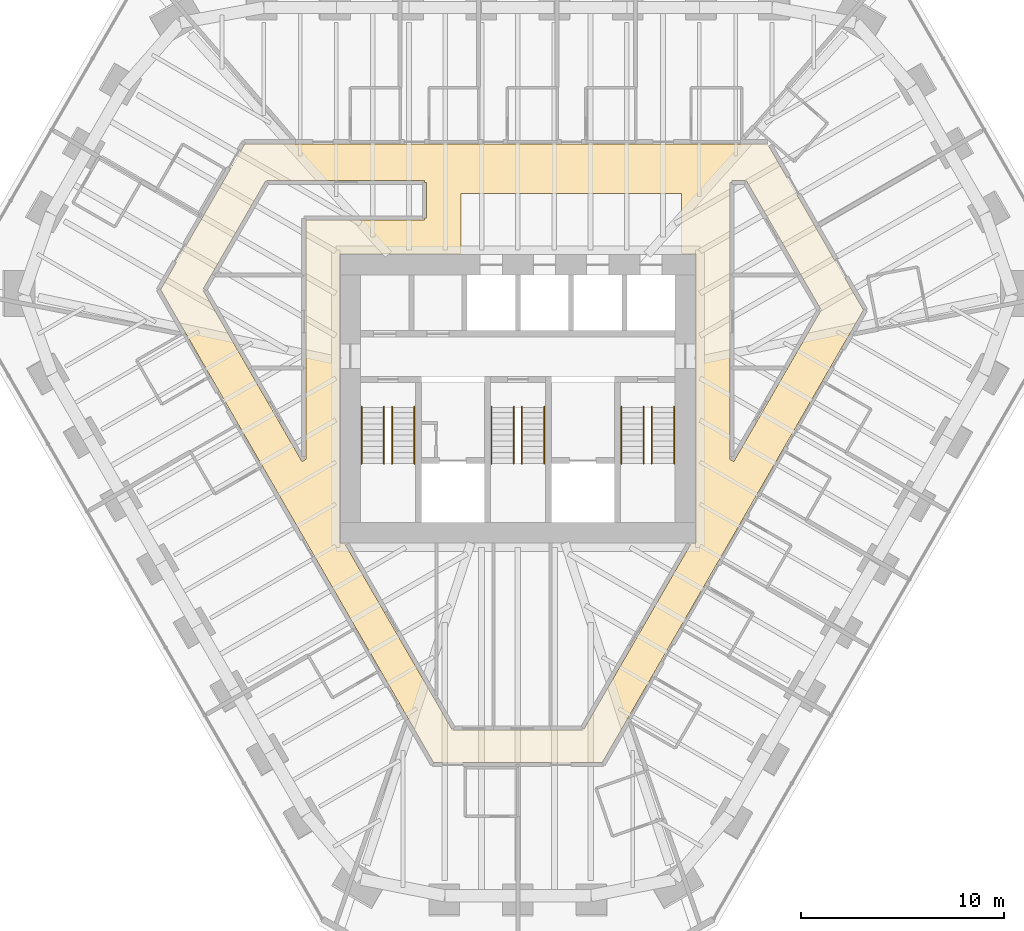
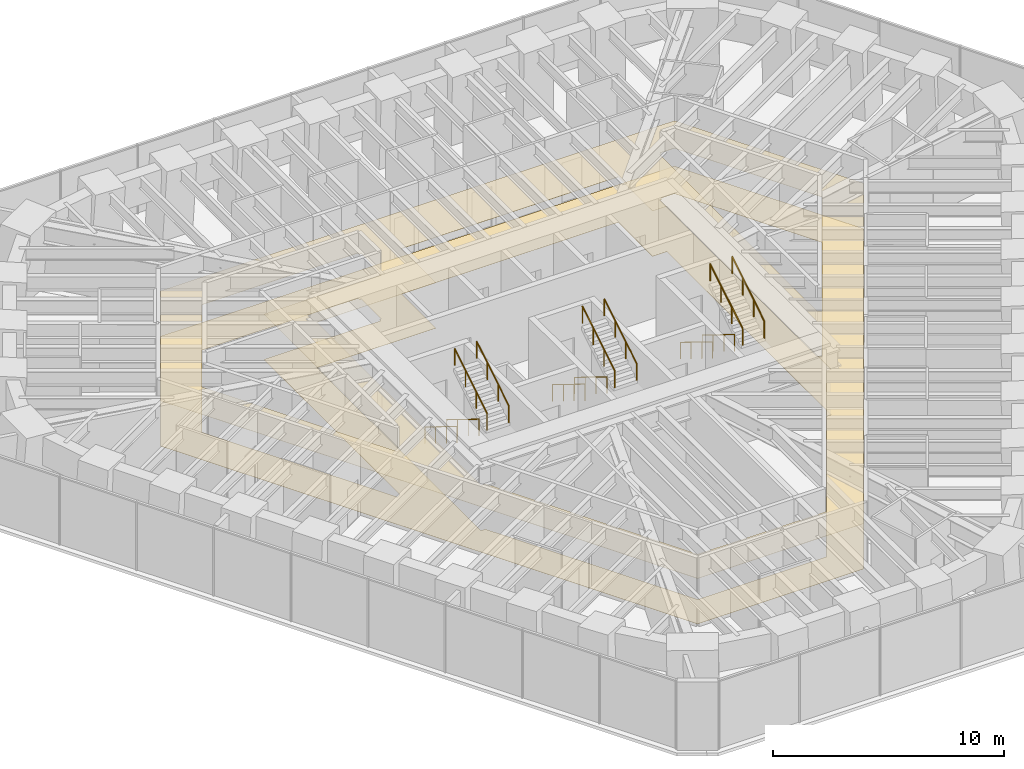
# One storey, part 17 of 17: 12 railings, 2 coverings.
"""IFC4 building model written with IfcOpenShell, lengths in metres."""

from ifc_helpers import new_model, si_unit, direction, frame, origin, origin_2d, place, context, subcontext, project, spatial, polyline, circle, outline, extrude, material, layer, layer_set, type_object, element, save


model = new_model("IFC4")

# Units and contexts
model_context = context("Model", 3, precision=1e-05, world=origin(), true_north=direction((0.0, 1.0)))
body_context = subcontext(model_context, "Body", "Model", "MODEL_VIEW")
ifc_project = project(units=[si_unit("LENGTHUNIT", "METRE"), si_unit("AREAUNIT", "SQUARE_METRE"), si_unit("VOLUMEUNIT", "CUBIC_METRE"), si_unit("PLANEANGLEUNIT", "RADIAN"), si_unit("MASSUNIT", "GRAM", prefix="KILO")], contexts=[model_context])

# Site, building, storey
site_placement = place(None, origin())
site = spatial("IfcSite", under=ifc_project, at=site_placement, CompositionType="ELEMENT")
building_placement = place(site_placement, origin())
building = spatial("IfcBuilding", under=site, at=building_placement, Name="Sandreach Pilgrim Tower", CompositionType="ELEMENT")
storey_placement = place(building_placement, frame((0.0, 0.0, 240.199951171875)))
storey = spatial("IfcBuildingStorey", under=building, at=storey_placement, Name="L60", CompositionType="ELEMENT", Elevation=240.199951171875)

# Coverings
ifc_material_1 = material(Name="Nylon carpet tile on the slab", Category="textile")
ifc_layer_1 = layer(ifc_material_1, 0.008056640625)
ifc_layer_set_1 = layer_set([ifc_layer_1], Name="Carpet tile")
covering_type_1 = type_object("IfcCoveringType", Name="Carpet tile", PredefinedType="FLOORING", material=ifc_layer_set_1)
covering_1_placement = place(storey_placement, origin())
element("IfcCovering", 1, at=covering_1_placement, inside=storey, type_object=covering_type_1, Name="Floor finish 60C Corridor 60", PredefinedType="FLOORING", context=body_context, shape_type="SweptSolid", body=[
    extrude(outline(polyline([(-4.15234375, -17.929931640625), (-17.6044921875, 5.369873046875), (-13.445068359375, 12.56005859375), (12.292236328125, 12.56005859375), (17.0244140625, 4.369873046875), (4.15234375, -17.929931640625), (-4.15234375, -17.929931640625)]), holes=[polyline([(10.449951171875, 10.659912109375), (10.449951171875, -2.9921875), (10.63671875, -3.10009765625), (14.945556640625, 4.370361328125), (11.247802734375, 10.760009765625), (10.56005859375, 10.760009765625), (10.56005859375, 10.66015625), (10.449951171875, 10.659912109375)]), polyline([(-3.227783203125, -16.330078125), (3.227783203125, -16.330078125), (8.542724609375, -7.1201171875), (8.77001953125, -7.1201171875), (8.77001953125, 7.1201171875), (8.050048828125, 7.1201171875), (8.050048828125, 10.10009765625), (-2.800048828125, 10.10009765625), (-2.800048828125, 7.1201171875), (-8.77001953125, 7.1201171875), (-8.77001953125, -7.1201171875), (-8.542724609375, -7.1201171875), (-3.227783203125, -16.330078125)]), polyline([(-15.525634765625, 5.370361328125), (-10.636474609375, -3.10009765625), (-10.449951171875, -2.9921875), (-10.449951171875, 8.800048828125), (-4.60009765625, 8.800048828125), (-4.60009765625, 8.909912109375), (-4.5, 8.909912109375), (-4.5, 10.64990234375), (-4.60009765625, 10.64990234375), (-4.60009765625, 10.760009765625), (-12.40771484375, 10.760009765625), (-15.525634765625, 5.370361328125)])]), origin(), (0.0, 0.0, 1.0), 0.008056640625),
])
ifc_material_2 = material(Name="Gypsum board suspended ceiling on a steel grid", Category="steel")
ifc_layer_2 = layer(ifc_material_2, 0.012939453125)
ifc_layer_set_2 = layer_set([ifc_layer_2], Name="Gypsum board suspended ceiling")
covering_type_2 = type_object("IfcCoveringType", Name="Gypsum board suspended ceiling", PredefinedType="CEILING", material=ifc_layer_set_2)
covering_2_placement = place(storey_placement, frame((0.0, 0.0, 2.400146484375)))
element("IfcCovering", 2, at=covering_2_placement, inside=storey, type_object=covering_type_2, Name="Ceiling 60C Corridor 60", PredefinedType="CEILING", context=body_context, shape_type="SweptSolid", body=[
    extrude(outline(polyline([(-4.15234375, -17.929931640625), (-17.6044921875, 5.369873046875), (-13.445068359375, 12.56005859375), (12.292236328125, 12.56005859375), (17.0244140625, 4.369873046875), (4.15234375, -17.929931640625), (-4.15234375, -17.929931640625)]), holes=[polyline([(10.449951171875, 10.659912109375), (10.449951171875, -2.9921875), (10.63671875, -3.10009765625), (14.945556640625, 4.370361328125), (11.247802734375, 10.760009765625), (10.56005859375, 10.760009765625), (10.56005859375, 10.66015625), (10.449951171875, 10.659912109375)]), polyline([(-3.227783203125, -16.330078125), (3.227783203125, -16.330078125), (8.542724609375, -7.1201171875), (8.77001953125, -7.1201171875), (8.77001953125, 7.1201171875), (8.050048828125, 7.1201171875), (8.050048828125, 10.10009765625), (-2.800048828125, 10.10009765625), (-2.800048828125, 7.1201171875), (-8.77001953125, 7.1201171875), (-8.77001953125, -7.1201171875), (-8.542724609375, -7.1201171875), (-3.227783203125, -16.330078125)]), polyline([(-15.525634765625, 5.370361328125), (-10.636474609375, -3.10009765625), (-10.449951171875, -2.9921875), (-10.449951171875, 8.800048828125), (-4.60009765625, 8.800048828125), (-4.60009765625, 8.909912109375), (-4.5, 8.909912109375), (-4.5, 10.64990234375), (-4.60009765625, 10.64990234375), (-4.60009765625, 10.760009765625), (-12.40771484375, 10.760009765625), (-15.525634765625, 5.370361328125)])]), origin(), (0.0, 0.0, 1.0), 0.012939453125),
])

# Railings
ifc_material_3 = material(Name="Stainless steel tube", Category="steel")
railing_type = type_object("IfcRailingType", Name="Stair handrail", PredefinedType="HANDRAIL", material=ifc_material_3)
for number, where, name in (
    (3, (-6.60009765625, -0.39990234375, 0.1728515625), "Handrail ST1 L60 flight 1"),
    (4, (-7.699951171875, -0.39990234375, 0.1728515625), "Handrail ST1 L60 flight 1"),
):
    element("IfcRailing", number, at=place(storey_placement, frame(where)), inside=storey, type_object=railing_type, Name=name, PredefinedType="HANDRAIL", context=body_context, shape_type="SweptSolid", body=[
        extrude(circle(Radius=0.02392578125, at=origin_2d()), frame((0.0, 0.0, 0.8759765625), z_axis=(0.0, -0.851089632645, 0.525020415988), x_axis=(1.0, 0.0, 0.0)), (0.0, 0.0, 1.0), 3.2900390625),
        extrude(circle(Radius=0.02099609375, at=origin_2d()), origin(), (0.0, 0.0, 1.0), 0.851806640625),
        extrude(circle(Radius=0.02099609375, at=origin_2d()), frame((0.0, -0.933349609375, 0.57568359375)), (0.0, 0.0, 1.0), 0.851806640625),
        extrude(circle(Radius=0.02099609375, at=origin_2d()), frame((0.0, -1.86669921875, 1.151611328125)), (0.0, 0.0, 1.0), 0.851806640625),
        extrude(circle(Radius=0.02099609375, at=origin_2d()), frame((0.0, -2.800048828125, 1.727294921875)), (0.0, 0.0, 1.0), 0.851806640625),
    ])
for number, where, name in (
    (5, (-6.199951171875, -3.199951171875, 2.07275390625), "Handrail ST1 L60 flight 2"),
    (6, (-5.10009765625, -3.199951171875, 2.07275390625), "Handrail ST1 L60 flight 2"),
):
    element("IfcRailing", number, at=place(storey_placement, frame(where)), inside=storey, type_object=railing_type, Name=name, PredefinedType="HANDRAIL", context=body_context, shape_type="SweptSolid", body=[
        extrude(circle(Radius=0.02392578125, at=origin_2d()), frame((0.0, 0.0, 0.8759765625), z_axis=(0.0, 0.851089632645, 0.525020415988), x_axis=(-1.0, 0.0, 0.0)), (0.0, 0.0, 1.0), 3.2900390625),
        extrude(circle(Radius=0.02099609375, at=origin_2d()), origin(), (0.0, 0.0, 1.0), 0.851806640625),
        extrude(circle(Radius=0.02099609375, at=origin_2d()), frame((0.0, 0.933349609375, 0.57568359375)), (0.0, 0.0, 1.0), 0.851806640625),
        extrude(circle(Radius=0.02099609375, at=origin_2d()), frame((0.0, 1.86669921875, 1.151611328125)), (0.0, 0.0, 1.0), 0.851806640625),
        extrude(circle(Radius=0.02099609375, at=origin_2d()), frame((0.0, 2.800048828125, 1.727294921875)), (0.0, 0.0, 1.0), 0.851806640625),
    ])
for number, where, name in (
    (7, (-0.199951171875, -0.39990234375, 0.1728515625), "Handrail ST3 L60 flight 1"),
    (8, (-1.300048828125, -0.39990234375, 0.1728515625), "Handrail ST3 L60 flight 1"),
):
    element("IfcRailing", number, at=place(storey_placement, frame(where)), inside=storey, type_object=railing_type, Name=name, PredefinedType="HANDRAIL", context=body_context, shape_type="SweptSolid", body=[
        extrude(circle(Radius=0.02392578125, at=origin_2d()), frame((0.0, 0.0, 0.8759765625), z_axis=(0.0, -0.851089632645, 0.525020415988), x_axis=(1.0, 0.0, 0.0)), (0.0, 0.0, 1.0), 3.2900390625),
        extrude(circle(Radius=0.02099609375, at=origin_2d()), origin(), (0.0, 0.0, 1.0), 0.851806640625),
        extrude(circle(Radius=0.02099609375, at=origin_2d()), frame((0.0, -0.933349609375, 0.57568359375)), (0.0, 0.0, 1.0), 0.851806640625),
        extrude(circle(Radius=0.02099609375, at=origin_2d()), frame((0.0, -1.86669921875, 1.151611328125)), (0.0, 0.0, 1.0), 0.851806640625),
        extrude(circle(Radius=0.02099609375, at=origin_2d()), frame((0.0, -2.800048828125, 1.727294921875)), (0.0, 0.0, 1.0), 0.851806640625),
    ])
for number, where, name in (
    (9, (0.199951171875, -3.199951171875, 2.07275390625), "Handrail ST3 L60 flight 2"),
    (10, (1.300048828125, -3.199951171875, 2.07275390625), "Handrail ST3 L60 flight 2"),
):
    element("IfcRailing", number, at=place(storey_placement, frame(where)), inside=storey, type_object=railing_type, Name=name, PredefinedType="HANDRAIL", context=body_context, shape_type="SweptSolid", body=[
        extrude(circle(Radius=0.02392578125, at=origin_2d()), frame((0.0, 0.0, 0.8759765625), z_axis=(0.0, 0.851089632645, 0.525020415988), x_axis=(-1.0, 0.0, 0.0)), (0.0, 0.0, 1.0), 3.2900390625),
        extrude(circle(Radius=0.02099609375, at=origin_2d()), origin(), (0.0, 0.0, 1.0), 0.851806640625),
        extrude(circle(Radius=0.02099609375, at=origin_2d()), frame((0.0, 0.933349609375, 0.57568359375)), (0.0, 0.0, 1.0), 0.851806640625),
        extrude(circle(Radius=0.02099609375, at=origin_2d()), frame((0.0, 1.86669921875, 1.151611328125)), (0.0, 0.0, 1.0), 0.851806640625),
        extrude(circle(Radius=0.02099609375, at=origin_2d()), frame((0.0, 2.800048828125, 1.727294921875)), (0.0, 0.0, 1.0), 0.851806640625),
    ])
for number, where, name in (
    (11, (6.199951171875, -0.39990234375, 0.1728515625), "Handrail ST2 L60 flight 1"),
    (12, (5.10009765625, -0.39990234375, 0.1728515625), "Handrail ST2 L60 flight 1"),
):
    element("IfcRailing", number, at=place(storey_placement, frame(where)), inside=storey, type_object=railing_type, Name=name, PredefinedType="HANDRAIL", context=body_context, shape_type="SweptSolid", body=[
        extrude(circle(Radius=0.02392578125, at=origin_2d()), frame((0.0, 0.0, 0.8759765625), z_axis=(0.0, -0.851089632645, 0.525020415988), x_axis=(1.0, 0.0, 0.0)), (0.0, 0.0, 1.0), 3.2900390625),
        extrude(circle(Radius=0.02099609375, at=origin_2d()), origin(), (0.0, 0.0, 1.0), 0.851806640625),
        extrude(circle(Radius=0.02099609375, at=origin_2d()), frame((0.0, -0.933349609375, 0.57568359375)), (0.0, 0.0, 1.0), 0.851806640625),
        extrude(circle(Radius=0.02099609375, at=origin_2d()), frame((0.0, -1.86669921875, 1.151611328125)), (0.0, 0.0, 1.0), 0.851806640625),
        extrude(circle(Radius=0.02099609375, at=origin_2d()), frame((0.0, -2.800048828125, 1.727294921875)), (0.0, 0.0, 1.0), 0.851806640625),
    ])
for number, where, name in (
    (13, (6.60009765625, -3.199951171875, 2.07275390625), "Handrail ST2 L60 flight 2"),
    (14, (7.699951171875, -3.199951171875, 2.07275390625), "Handrail ST2 L60 flight 2"),
):
    element("IfcRailing", number, at=place(storey_placement, frame(where)), inside=storey, type_object=railing_type, Name=name, PredefinedType="HANDRAIL", context=body_context, shape_type="SweptSolid", body=[
        extrude(circle(Radius=0.02392578125, at=origin_2d()), frame((0.0, 0.0, 0.8759765625), z_axis=(0.0, 0.851089632645, 0.525020415988), x_axis=(-1.0, 0.0, 0.0)), (0.0, 0.0, 1.0), 3.2900390625),
        extrude(circle(Radius=0.02099609375, at=origin_2d()), origin(), (0.0, 0.0, 1.0), 0.851806640625),
        extrude(circle(Radius=0.02099609375, at=origin_2d()), frame((0.0, 0.933349609375, 0.57568359375)), (0.0, 0.0, 1.0), 0.851806640625),
        extrude(circle(Radius=0.02099609375, at=origin_2d()), frame((0.0, 1.86669921875, 1.151611328125)), (0.0, 0.0, 1.0), 0.851806640625),
        extrude(circle(Radius=0.02099609375, at=origin_2d()), frame((0.0, 2.800048828125, 1.727294921875)), (0.0, 0.0, 1.0), 0.851806640625),
    ])

save(model, "model.ifc")
